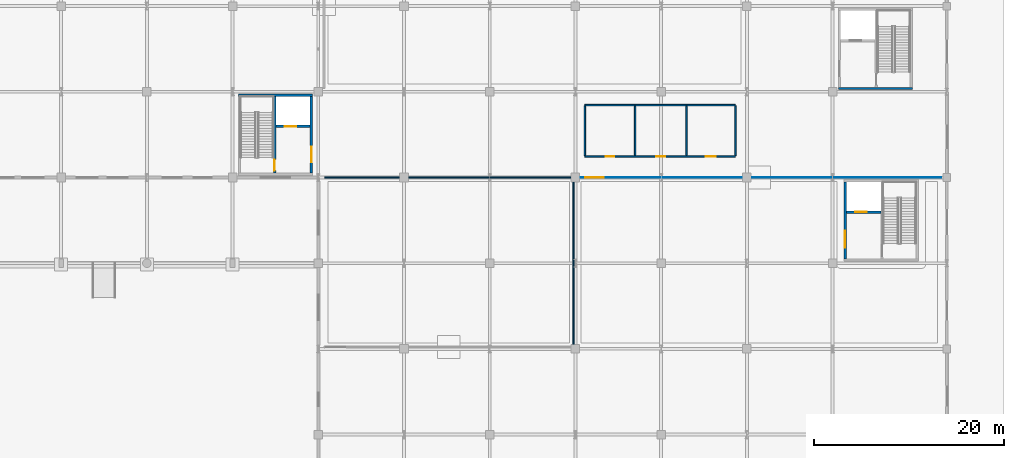
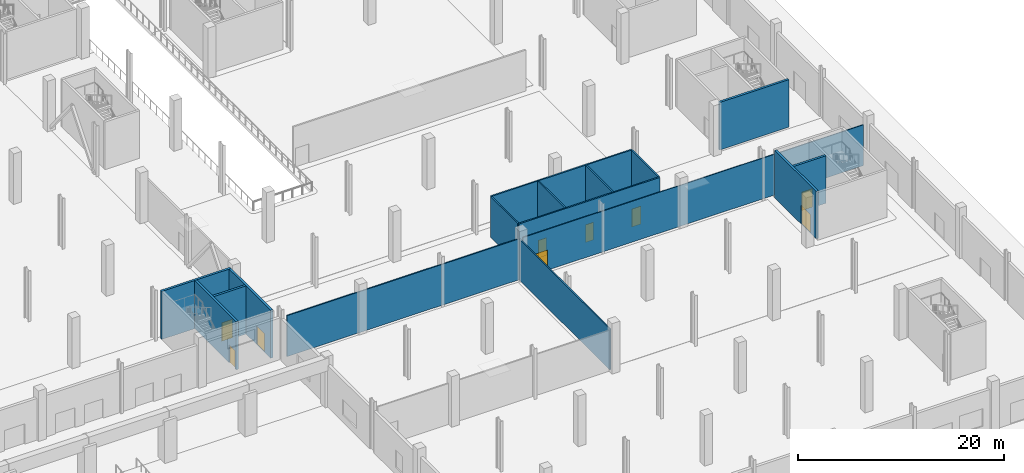
# One storey, part 34 of 58: 16 walls, 9 doors, 9 openings.
"""IFC4 building model written with IfcOpenShell, lengths in metres."""

import ifcopenshell
import ifcopenshell.guid

model = None  # the IFC model being written
_history = None  # IfcOwnerHistory: only IFC2X3 demands one
_inside = {}  # id of a spatial element -> (the spatial element, [elements in it])
_under = {}  # id of a project, library or spatial element -> (it, [spatial elements below it])
_declared = {}  # id of a project -> (the project, [libraries it declares])
_typed = {}  # id of a type object -> (the type object, [elements of that type])
_made_of = {}  # id of a material, layer set ... -> (it, [elements and type objects made of it])


def new_model(schema):
    """Start an empty IFC model of exactly this schema.

    Asked for "IFC4X3", IfcOpenShell would pick the latest addendum, in which some entities
    have other attributes; the version numbers below select the first issue.
    IFC2X3 requires an IfcOwnerHistory on every rooted entity: one is made here for all.
    """
    global model, _history
    if schema == "IFC4X3":
        model = ifcopenshell.file(schema_version=(4, 3, 0, 0))
    else:
        model = ifcopenshell.file(schema=schema)
    _inside.clear()
    _under.clear()
    _declared.clear()
    _typed.clear()
    _made_of.clear()
    _history = None
    if model.schema == "IFC2X3":
        org = make("IfcOrganization", Name="unknown")
        user = make(
            "IfcPersonAndOrganization",
            ThePerson=make("IfcPerson", FamilyName="unknown"),
            TheOrganization=org,
        )
        app = make(
            "IfcApplication",
            ApplicationDeveloper=org,
            Version="unknown",
            ApplicationFullName="unknown",
            ApplicationIdentifier="unknown",
        )
        _history = make(
            "IfcOwnerHistory",
            OwningUser=user,
            OwningApplication=app,
            ChangeAction="ADDED",
            CreationDate=0,
        )
    return model


def make(cls, **values):
    """One entity of the class cls with the attributes given. An attribute that is None is left unset."""
    return model.create_entity(
        cls, **{name: value for name, value in values.items() if value is not None}
    )


def rooted(cls, **values):
    """An entity with a GlobalId (a new one), such as an element, a storey or a relation."""
    return make(cls, GlobalId=ifcopenshell.guid.new(), OwnerHistory=_history, **values)


def si_unit(unit_type, name, prefix=None):
    """IfcSIUnit, for example si_unit("LENGTHUNIT", "METRE", prefix="MILLI")."""
    return make("IfcSIUnit", UnitType=unit_type, Prefix=prefix, Name=name)


def assignment(units):
    """IfcUnitAssignment: the units of a project."""
    return None if units is None else make("IfcUnitAssignment", Units=units)


def point(xyz):
    """IfcCartesianPoint."""
    return None if xyz is None else make("IfcCartesianPoint", Coordinates=xyz)


def direction(xyz):
    """IfcDirection."""
    return None if xyz is None else make("IfcDirection", DirectionRatios=xyz)


def frame(location, z_axis=None, x_axis=None):
    """IfcAxis2Placement3D, a coordinate frame: its origin and axes. An axis left out is left unset."""
    return make(
        "IfcAxis2Placement3D",
        Location=point(location),
        Axis=direction(z_axis),
        RefDirection=direction(x_axis),
    )


def frame_2d(location, x_axis=None):
    """IfcAxis2Placement2D, a coordinate frame in the plane: its origin and x axis."""
    return make(
        "IfcAxis2Placement2D", Location=point(location), RefDirection=direction(x_axis)
    )


def origin():
    """The frame at (0, 0, 0) with its axes left unset."""
    return frame((0.0, 0.0, 0.0))


def place(relative_to, where):
    """IfcLocalPlacement: puts the frame where relative to a parent placement (None: the world)."""
    return make(
        "IfcLocalPlacement", PlacementRelTo=relative_to, RelativePlacement=where
    )


def context(
    kind, dimensions, precision=None, world=None, true_north=None, identifier=None
):
    """IfcGeometricRepresentationContext, for example the 3D "Model" context."""
    return make(
        "IfcGeometricRepresentationContext",
        ContextIdentifier=identifier,
        ContextType=kind,
        CoordinateSpaceDimension=dimensions,
        Precision=precision,
        WorldCoordinateSystem=world,
        TrueNorth=true_north,
    )


def subcontext(parent, identifier, kind, view, scale=None):
    """IfcGeometricRepresentationSubContext, for example "Body" below "Model"."""
    return make(
        "IfcGeometricRepresentationSubContext",
        ContextIdentifier=identifier,
        ContextType=kind,
        ParentContext=parent,
        TargetScale=scale,
        TargetView=view,
    )


def project(units=None, contexts=None):
    """IfcProject with its units and contexts."""
    return rooted(
        "IfcProject",
        Name="project",
        RepresentationContexts=contexts,
        UnitsInContext=assignment(units),
    )


def spatial(cls, under=None, at=None, **own):
    """A site, building, storey or space (cls), placed at a placement, below another one or the project."""
    s = rooted(cls, ObjectPlacement=at, **own)
    if under is not None:
        _under.setdefault(under.id(), (under, []))[1].append(s)
    return s


def profile(cls, at=None, kind="AREA", **sizes):
    """A parametric profile (cls). Its sizes go by their IFC names, for example OverallWidth=200.0."""
    return make(cls, ProfileType=kind, Position=at, **sizes)


def rectangle(**sizes):
    """IfcRectangleProfileDef."""
    return profile("IfcRectangleProfileDef", **sizes)


def extrude(swept, where, along, depth):
    """IfcExtrudedAreaSolid: the profile swept, set in the frame where, extruded along a direction by depth."""
    return make(
        "IfcExtrudedAreaSolid",
        SweptArea=swept,
        Position=where,
        ExtrudedDirection=direction(along),
        Depth=depth,
    )


def shape(context_of_items, identifier, shape_type, items):
    """IfcShapeRepresentation: the items that make up one representation, for example the "Body"."""
    return make(
        "IfcShapeRepresentation",
        ContextOfItems=context_of_items,
        RepresentationIdentifier=identifier,
        RepresentationType=shape_type,
        Items=items,
    )


def material(Name=None, Category=None):
    """IfcMaterial."""
    return make("IfcMaterial", Name=Name, Category=Category)


def layer(
    of_material, thickness, ventilated=None, Name=None, Category=None, Priority=None
):
    """IfcMaterialLayer: one layer of a wall or slab, of a material (None: an air gap)."""
    return make(
        "IfcMaterialLayer",
        Material=of_material,
        LayerThickness=thickness,
        IsVentilated=ventilated,
        Name=Name,
        Category=Category,
        Priority=Priority,
    )


def layer_set(layers, Name=None):
    """IfcMaterialLayerSet."""
    return make("IfcMaterialLayerSet", MaterialLayers=layers, LayerSetName=Name)


def made_of(thing, what):
    """Note that an element or type object is made of a material, layer set ...; save() writes the relation."""
    if what is not None:
        _made_of.setdefault(what.id(), (what, []))[1].append(thing)
    return thing


def type_object(cls, material=None, **own):
    """A type object (cls), such as IfcWallType, which elements share."""
    return made_of(rooted(cls, **own), material)


def element(
    cls,
    number,
    at=None,
    inside=None,
    cuts=None,
    type_object=None,
    material=None,
    context=None,
    identifier="Body",
    shape_type=None,
    held_by="IfcProductDefinitionShape",
    body=None,
    shapes=None,
    **own,
):
    """One element of the class cls, such as IfcWall. Its Tag is "e" and its number.

    at: its placement. inside: the storey or other place that contains it. cuts: it is an
    opening in that element (IfcRelVoidsElement). A single representation is given by context,
    identifier, shape_type and body (its items); several are given by shapes. held_by: the class
    of the entity that holds the representations. save() writes the other relations.
    """
    e = rooted(cls, Tag="e%d" % number, ObjectPlacement=at, **own)
    if body is not None:
        shapes = [shape(context, identifier, shape_type, body)]
    if shapes is not None:
        e.Representation = make(held_by, Representations=shapes)
    if inside is not None:
        _inside.setdefault(inside.id(), (inside, []))[1].append(e)
    if cuts is not None:
        rooted(
            "IfcRelVoidsElement", RelatingBuildingElement=cuts, RelatedOpeningElement=e
        )
    if type_object is not None:
        _typed.setdefault(type_object.id(), (type_object, []))[1].append(e)
    return made_of(e, material)


def fill(opening, filler):
    """IfcRelFillsElement: the door or window that sits in an opening."""
    return rooted(
        "IfcRelFillsElement",
        RelatingOpeningElement=opening,
        RelatedBuildingElement=filler,
    )


def aggregate(whole, parts):
    """IfcRelAggregates: a whole, such as a stair, and the parts it consists of."""
    return rooted("IfcRelAggregates", RelatingObject=whole, RelatedObjects=parts)


def save(model, path):
    """Write the relations noted so far, then the file.

    IfcRelAggregates (storeys below a building ...), IfcRelContainedInSpatialStructure (elements
    in a storey), IfcRelDefinesByType, IfcRelAssociatesMaterial and IfcRelDeclares: one each for
    every whole, place, type object, material and project.
    """
    for whole, parts in _under.values():
        aggregate(whole, parts)
    for where, things in _inside.values():
        rooted(
            "IfcRelContainedInSpatialStructure",
            RelatedElements=things,
            RelatingStructure=where,
        )
    for kind, things in _typed.values():
        rooted("IfcRelDefinesByType", RelatedObjects=things, RelatingType=kind)
    for what, things in _made_of.values():
        rooted("IfcRelAssociatesMaterial", RelatedObjects=things, RelatingMaterial=what)
    for by, libraries in _declared.values():
        rooted("IfcRelDeclares", RelatingContext=by, RelatedDefinitions=libraries)
    model.write(path)


model = new_model("IFC4")

# Units and contexts
model_context = context("Model", 3, precision=1e-05, world=origin(), true_north=direction((0.0, 1.0)))
body_context = subcontext(model_context, "Body", "Model", "MODEL_VIEW")
ifc_project = project(units=[si_unit("LENGTHUNIT", "METRE"), si_unit("AREAUNIT", "SQUARE_METRE"), si_unit("VOLUMEUNIT", "CUBIC_METRE"), si_unit("PLANEANGLEUNIT", "RADIAN"), si_unit("MASSUNIT", "GRAM", prefix="KILO")], contexts=[model_context])

# Site, building, storey
site_placement = place(None, origin())
site = spatial("IfcSite", under=ifc_project, at=site_placement, CompositionType="ELEMENT")
building_placement = place(site_placement, origin())
building = spatial("IfcBuilding", under=site, at=building_placement, Name="Barlavento Convention Centre", CompositionType="ELEMENT")
storey_placement = place(building_placement, origin())
storey = spatial("IfcBuildingStorey", under=building, at=storey_placement, Name="L00", CompositionType="ELEMENT", Elevation=0.0)

# Wall, opening, door
ifc_material_1 = material(Name="Glazed office partition", Category="glass")
ifc_layer_1 = layer(ifc_material_1, 0.094970703125)
ifc_layer_set_1 = layer_set([ifc_layer_1], Name="ARC-WL-PART-095")
wall_type_1 = type_object("IfcWallType", Name="ARC-WL-PART-095", PredefinedType="PARTITIONING", material=ifc_layer_set_1)
wall_1_placement = place(storey_placement, frame((153.199951171875, 45.0, 0.0), z_axis=(0.0, 0.0, 1.0), x_axis=(1.0, 0.0, 0.0)))
wall_1 = element("IfcWall", 1, at=wall_1_placement, inside=storey, type_object=wall_type_1, Name="L00 interior wall PT-07", PredefinedType="PARTITIONING", context=body_context, shape_type="SweptSolid", body=[
    extrude(rectangle(XDim=38.199951171875, YDim=0.094970703125, at=frame_2d((19.10009765625, 0.0))), origin(), (0.0, 0.0, 1.0), 4.85009765625),
])
opening_1_placement = place(wall_1_placement, frame((0.85009765625, 0.0, 0.0)))
opening_1 = element("IfcOpeningElement", 2, at=opening_1_placement, cuts=wall_1, Name="Opening ID-02", PredefinedType="OPENING", context=body_context, shape_type="SweptSolid", body=[
    extrude(rectangle(XDim=1.89990234375, YDim=2.39990234375, at=frame_2d((0.949951171875, 1.199951171875))), frame((0.0, 0.057373046875, 0.0), z_axis=(0.0, -1.0, 0.0), x_axis=(1.0, 0.0, 0.0)), (0.0, 0.0, 1.0), 0.114990234375),
])
ifc_material_2 = material(Name="Timber veneer acoustic core", Category="wood")
door_type_1 = type_object("IfcDoorType", Name="ARC-DR-HALL-1900X2400", OperationType="DOUBLE_DOOR_SINGLE_SWING", PredefinedType="DOOR", material=ifc_material_2)
door_1_placement = place(opening_1_placement, origin())
door_1 = element("IfcDoor", 3, at=door_1_placement, inside=storey, type_object=door_type_1, Name="DR-INT-L00-0217 L00 interior door ID-02", OperationType="DOUBLE_DOOR_SINGLE_SWING", OverallHeight=2.39990234375, OverallWidth=1.89990234375, PredefinedType="DOOR", context=body_context, shape_type="SweptSolid", body=[
    extrude(rectangle(XDim=1.89990234375, YDim=2.39990234375, at=frame_2d((0.949951171875, 1.199951171875))), frame((0.0, 0.02490234375, 0.0), z_axis=(0.0, -1.0, 0.0), x_axis=(1.0, 0.0, 0.0)), (0.0, 0.0, 1.0), 0.050048828125),
])
fill(opening_1, door_1)

# Walls
ifc_material_3 = material(Name="Insulated gypsum partition")
ifc_layer_2 = layer(ifc_material_3, 0.139892578125)
ifc_layer_set_2 = layer_set([ifc_layer_2], Name="ARC-WL-PART-140")
wall_type_2 = type_object("IfcWallType", Name="ARC-WL-PART-140", PredefinedType="PARTITIONING", material=ifc_layer_set_2)
wall_2_placement = place(storey_placement, frame((126.68408203125, 45.0, 0.0), z_axis=(0.0, 0.0, 1.0), x_axis=(1.0, 0.0, 0.0)))
element("IfcWall", 4, at=wall_2_placement, inside=storey, type_object=wall_type_2, Name="L00 interior wall PT-04", PredefinedType="PARTITIONING", context=body_context, shape_type="SweptSolid", body=[
    extrude(rectangle(XDim=26.031982421875, YDim=0.139892578125, at=frame_2d((13.01611328125, 0.0))), origin(), (0.0, 0.0, 1.0), 4.85009765625),
])
wall_3_placement = place(storey_placement, frame((152.800048828125, 27.283935546875, 0.0), z_axis=(0.0, 0.0, 1.0), x_axis=(0.0, 1.0, 0.0)))
element("IfcWall", 5, at=wall_3_placement, inside=storey, type_object=wall_type_2, Name="L00 interior wall PT-04", PredefinedType="PARTITIONING", context=body_context, shape_type="SweptSolid", body=[
    extrude(rectangle(XDim=17.632080078125, YDim=0.139892578125, at=frame_2d((8.81591796875, 0.0))), origin(), (0.0, 0.0, 1.0), 4.85009765625),
])

# Wall, openings, doors
ifc_material_4 = material(Name="Sanitary service chase plumbing wall")
ifc_layer_3 = layer(ifc_material_4, 0.159912109375)
ifc_layer_set_3 = layer_set([ifc_layer_3], Name="ARC-WL-PLMB-160")
wall_type_3 = type_object("IfcWallType", Name="ARC-WL-PLMB-160", PredefinedType="PLUMBINGWALL", material=ifc_layer_set_3)
wall_4_placement = place(storey_placement, frame((154.0, 47.199951171875, 0.0), z_axis=(0.0, 0.0, 1.0), x_axis=(1.0, 0.0, 0.0)))
wall_4 = element("IfcWall", 6, at=wall_4_placement, inside=storey, type_object=wall_type_3, Name="L00 interior wall PW-03", PredefinedType="PLUMBINGWALL", context=body_context, shape_type="SweptSolid", body=[
    extrude(rectangle(XDim=15.800048828125, YDim=0.159912109375, at=frame_2d((7.89990234375, 0.0))), origin(), (0.0, 0.0, 1.0), 4.85009765625),
])
opening_2_placement = place(wall_4_placement, frame((2.18994140625, 0.0, 0.0)))
opening_2 = element("IfcOpeningElement", 7, at=opening_2_placement, cuts=wall_4, Name="Opening ID-10", PredefinedType="OPENING", context=body_context, shape_type="SweptSolid", body=[
    extrude(rectangle(XDim=0.89990234375, YDim=2.10009765625, at=frame_2d((0.449951171875, 1.050048828125))), frame((0.0, 0.08984375, 0.0), z_axis=(0.0, -1.0, 0.0), x_axis=(1.0, 0.0, 0.0)), (0.0, 0.0, 1.0), 0.179931640625),
])
opening_3_placement = place(wall_4_placement, frame((7.510009765625, 0.0, 0.0)))
opening_3 = element("IfcOpeningElement", 8, at=opening_3_placement, cuts=wall_4, Name="Opening ID-10", PredefinedType="OPENING", context=body_context, shape_type="SweptSolid", body=[
    extrude(rectangle(XDim=0.89990234375, YDim=2.10009765625, at=frame_2d((0.449951171875, 1.050048828125))), frame((0.0, 0.08984375, 0.0), z_axis=(0.0, -1.0, 0.0), x_axis=(1.0, 0.0, 0.0)), (0.0, 0.0, 1.0), 0.179931640625),
])
opening_4_placement = place(wall_4_placement, frame((12.699951171875, 0.0, 0.0)))
opening_4 = element("IfcOpeningElement", 9, at=opening_4_placement, cuts=wall_4, Name="Opening ID-11", PredefinedType="OPENING", context=body_context, shape_type="SweptSolid", body=[
    extrude(rectangle(XDim=1.0400390625, YDim=2.14990234375, at=frame_2d((0.52001953125, 1.074951171875))), frame((0.0, 0.08984375, 0.0), z_axis=(0.0, -1.0, 0.0), x_axis=(1.0, 0.0, 0.0)), (0.0, 0.0, 1.0), 0.179931640625),
])
door_type_2 = type_object("IfcDoorType", Name="ARC-DR-AWC-1040X2150", OperationType="NOTDEFINED", PredefinedType="DOOR", material=ifc_material_2)
door_2_placement = place(opening_4_placement, origin())
door_2 = element("IfcDoor", 10, at=door_2_placement, inside=storey, type_object=door_type_2, Name="DR-INT-L00-0189 L00 Accessible Public WC entry door", OperationType="SINGLE_SWING_LEFT", OverallHeight=2.14990234375, OverallWidth=1.0400390625, PredefinedType="DOOR", context=body_context, shape_type="SweptSolid", body=[
    extrude(rectangle(XDim=1.0400390625, YDim=2.14990234375, at=frame_2d((0.52001953125, 1.074951171875))), frame((0.0, 0.02490234375, 0.0), z_axis=(0.0, -1.0, 0.0), x_axis=(1.0, 0.0, 0.0)), (0.0, 0.0, 1.0), 0.050048828125),
])
fill(opening_4, door_2)
door_type_3 = type_object("IfcDoorType", Name="ARC-DR-WC-900X2100", OperationType="NOTDEFINED", PredefinedType="DOOR", material=ifc_material_2)
door_3_placement = place(opening_2_placement, origin())
door_3 = element("IfcDoor", 11, at=door_3_placement, inside=storey, type_object=door_type_3, Name="DR-INT-L00-0187 L00 Male Public WC entry door", OperationType="SINGLE_SWING_LEFT", OverallHeight=2.10009765625, OverallWidth=0.89990234375, PredefinedType="DOOR", context=body_context, shape_type="SweptSolid", body=[
    extrude(rectangle(XDim=0.89990234375, YDim=2.10009765625, at=frame_2d((0.449951171875, 1.050048828125))), frame((0.0, 0.02490234375, 0.0), z_axis=(0.0, -1.0, 0.0), x_axis=(1.0, 0.0, 0.0)), (0.0, 0.0, 1.0), 0.050048828125),
])
fill(opening_2, door_3)
door_4_placement = place(opening_3_placement, origin())
door_4 = element("IfcDoor", 12, at=door_4_placement, inside=storey, type_object=door_type_3, Name="DR-INT-L00-0188 L00 Female Public WC entry door", OperationType="SINGLE_SWING_RIGHT", OverallHeight=2.10009765625, OverallWidth=0.89990234375, PredefinedType="DOOR", context=body_context, shape_type="SweptSolid", body=[
    extrude(rectangle(XDim=0.89990234375, YDim=2.10009765625, at=frame_2d((0.449951171875, 1.050048828125))), frame((0.0, 0.02490234375, 0.0), z_axis=(0.0, -1.0, 0.0), x_axis=(1.0, 0.0, 0.0)), (0.0, 0.0, 1.0), 0.050048828125),
])
fill(opening_3, door_4)

# Walls
wall_5_placement = place(storey_placement, frame((154.0, 52.60009765625, 0.0), z_axis=(0.0, 0.0, 1.0), x_axis=(1.0, 0.0, 0.0)))
element("IfcWall", 13, at=wall_5_placement, inside=storey, type_object=wall_type_3, Name="L00 interior wall PW-03", PredefinedType="PLUMBINGWALL", context=body_context, shape_type="SweptSolid", body=[
    extrude(rectangle(XDim=15.800048828125, YDim=0.159912109375, at=frame_2d((7.89990234375, 0.0))), origin(), (0.0, 0.0, 1.0), 4.85009765625),
])
for number, where, z_axis, x_axis, name in (
    (14, (154.0, 47.2880859375, 0.0), (0.0, 0.0, 1.0), (0.0, 1.0, 0.0), "L00 interior wall PW-03"),
    (15, (159.280029296875, 47.2880859375, 0.0), (0.0, 0.0, 1.0), (0.0, 1.0, 0.0), "L00 interior wall PW-03"),
    (16, (164.639892578125, 47.2880859375, 0.0), (0.0, 0.0, 1.0), (0.0, 1.0, 0.0), "L00 interior wall PW-03"),
    (17, (169.800048828125, 47.2880859375, 0.0), (0.0, 0.0, 1.0), (0.0, 1.0, 0.0), "L00 interior wall PW-03"),
):
    element("IfcWall", number, at=place(storey_placement, frame(where, z_axis=z_axis, x_axis=x_axis)), inside=storey, type_object=wall_type_3, Name=name, PredefinedType="PLUMBINGWALL", context=body_context, shape_type="SweptSolid", body=[
        extrude(rectangle(XDim=5.223876953125, YDim=0.159912109375, at=frame_2d((2.61181640625, 0.0))), origin(), (0.0, 0.0, 1.0), 4.85009765625),
    ])

# Wall, opening, door
ifc_material_5 = material(Name="Concrete C50/60", Category="concrete")
ifc_layer_4 = layer(ifc_material_5, 0.25)
ifc_layer_set_4 = layer_set([ifc_layer_4], Name="STR-WL-CORE-250")
wall_type_4 = type_object("IfcWallType", Name="STR-WL-CORE-250", PredefinedType="SHEAR", material=ifc_layer_set_4)
wall_6_placement = place(storey_placement, frame((125.27490234375, 45.469970703125, 0.0), z_axis=(0.0, 0.0, 1.0), x_axis=(0.0, 1.0, 0.0)))
wall_6 = element("IfcWall", 18, at=wall_6_placement, inside=storey, type_object=wall_type_4, Name="L00 interior wall CW-02", PredefinedType="SHEAR", context=body_context, shape_type="SweptSolid", body=[
    extrude(rectangle(XDim=8.06005859375, YDim=0.25, at=frame_2d((4.030029296875, 0.0))), origin(), (0.0, 0.0, 1.0), 5.7099609375),
])
opening_5_placement = place(wall_6_placement, frame((1.14990234375, 0.0, 0.0)))
opening_5 = element("IfcOpeningElement", 19, at=opening_5_placement, cuts=wall_6, Name="Opening FD-02", PredefinedType="OPENING", context=body_context, shape_type="SweptSolid", body=[
    extrude(rectangle(XDim=1.60009765625, YDim=2.199951171875, at=frame_2d((0.800048828125, 1.10009765625))), frame((0.0, 0.135009765625, 0.0), z_axis=(0.0, -1.0, 0.0), x_axis=(1.0, 0.0, 0.0)), (0.0, 0.0, 1.0), 0.27001953125),
])
ifc_material_6 = material(Name="Painted galvanized steel", Category="steel")
door_type_4 = type_object("IfcDoorType", Name="ARC-DR-FIRE-1600X2200", OperationType="DOUBLE_DOOR_SINGLE_SWING", PredefinedType="DOOR", material=ifc_material_6)
door_5_placement = place(opening_5_placement, origin())
door_5 = element("IfcDoor", 20, at=door_5_placement, inside=storey, type_object=door_type_4, Name="DR-INT-L00-0045 L00 LP3 lobby fire door", OperationType="DOUBLE_DOOR_SINGLE_SWING", OverallHeight=2.199951171875, OverallWidth=1.60009765625, PredefinedType="DOOR", context=body_context, shape_type="SweptSolid", body=[
    extrude(rectangle(XDim=1.60009765625, YDim=2.199951171875, at=frame_2d((0.800048828125, 1.10009765625))), frame((0.0, 0.02490234375, 0.0), z_axis=(0.0, -1.0, 0.0), x_axis=(1.0, 0.0, 0.0)), (0.0, 0.0, 1.0), 0.050048828125),
])
fill(opening_5, door_5)

# Wall
wall_7_placement = place(storey_placement, frame((117.60009765625, 53.655029296875, 0.0), z_axis=(0.0, 0.0, 1.0), x_axis=(1.0, 0.0, 0.0)))
element("IfcWall", 21, at=wall_7_placement, inside=storey, type_object=wall_type_4, Name="L00 interior wall CW-02", PredefinedType="SHEAR", context=body_context, shape_type="SweptSolid", body=[
    extrude(rectangle(XDim=7.7998046875, YDim=0.25, at=frame_2d((3.89990234375, 0.0))), origin(), (0.0, 0.0, 1.0), 5.7099609375),
])

# Wall, opening, door
wall_8_placement = place(storey_placement, frame((121.4150390625, 45.469970703125, 0.0), z_axis=(0.0, 0.0, 1.0), x_axis=(0.0, 1.0, 0.0)))
wall_8 = element("IfcWall", 22, at=wall_8_placement, inside=storey, type_object=wall_type_4, Name="L00 interior wall CW-02", PredefinedType="SHEAR", context=body_context, shape_type="SweptSolid", body=[
    extrude(rectangle(XDim=8.06005859375, YDim=0.25, at=frame_2d((4.030029296875, 0.0))), origin(), (0.0, 0.0, 1.0), 5.7099609375),
])
opening_6_placement = place(wall_8_placement, frame((0.25, 0.0, 0.0)))
opening_6 = element("IfcOpeningElement", 23, at=opening_6_placement, cuts=wall_8, Name="Opening FD-03", PredefinedType="OPENING", context=body_context, shape_type="SweptSolid", body=[
    extrude(rectangle(XDim=1.14990234375, YDim=2.14990234375, at=frame_2d((0.574951171875, 1.074951171875))), frame((0.0, 0.135009765625, 0.0), z_axis=(0.0, -1.0, 0.0), x_axis=(1.0, 0.0, 0.0)), (0.0, 0.0, 1.0), 0.27001953125),
])
door_type_5 = type_object("IfcDoorType", Name="ARC-DR-FIRE-1150X2150", OperationType="NOTDEFINED", PredefinedType="DOOR", material=ifc_material_6)
door_6_placement = place(opening_6_placement, origin())
door_6 = element("IfcDoor", 24, at=door_6_placement, inside=storey, type_object=door_type_5, Name="DR-INT-L00-0043 L00 ST04 stair fire door FD-03", OperationType="SINGLE_SWING_LEFT", OverallHeight=2.14990234375, OverallWidth=1.14990234375, PredefinedType="DOOR", context=body_context, shape_type="SweptSolid", body=[
    extrude(rectangle(XDim=1.14990234375, YDim=2.14990234375, at=frame_2d((0.574951171875, 1.074951171875))), frame((0.0, 0.02490234375, 0.0), z_axis=(0.0, -1.0, 0.0), x_axis=(1.0, 0.0, 0.0)), (0.0, 0.0, 1.0), 0.050048828125),
])
fill(opening_6, door_6)

wall_9_placement = place(storey_placement, frame((121.5400390625, 50.3701171875, 0.0), z_axis=(0.0, 0.0, 1.0), x_axis=(1.0, 0.0, 0.0)))
wall_9 = element("IfcWall", 25, at=wall_9_placement, inside=storey, type_object=wall_type_4, Name="L00 interior wall CW-02", PredefinedType="SHEAR", context=body_context, shape_type="SweptSolid", body=[
    extrude(rectangle(XDim=3.60986328125, YDim=0.25, at=frame_2d((1.804931640625, 0.0))), origin(), (0.0, 0.0, 1.0), 5.7099609375),
])
opening_7_placement = place(wall_9_placement, frame((0.949951171875, 0.0, 0.0)))
opening_7 = element("IfcOpeningElement", 26, at=opening_7_placement, cuts=wall_9, Name="Opening LD-01", PredefinedType="OPENING", context=body_context, shape_type="SweptSolid", body=[
    extrude(rectangle(XDim=1.199951171875, YDim=2.199951171875, at=frame_2d((0.60009765625, 1.10009765625))), frame((0.0, 0.135009765625, 0.0), z_axis=(0.0, -1.0, 0.0), x_axis=(1.0, 0.0, 0.0)), (0.0, 0.0, 1.0), 0.27001953125),
])
ifc_material_7 = material(Name="Brushed stainless steel", Category="steel")
door_type_6 = type_object("IfcDoorType", Name="ARC-DR-LIFT-1200X2200", OperationType="DOUBLE_DOOR_SLIDING", PredefinedType="DOOR", material=ifc_material_7)
door_7_placement = place(opening_7_placement, origin())
door_7 = element("IfcDoor", 27, at=door_7_placement, inside=storey, type_object=door_type_6, Name="DR-INT-L00-0044 LP3 lift sliding landing door", OperationType="DOUBLE_DOOR_SLIDING", OverallHeight=2.199951171875, OverallWidth=1.199951171875, PredefinedType="DOOR", context=body_context, shape_type="SweptSolid", body=[
    extrude(rectangle(XDim=1.199951171875, YDim=2.199951171875, at=frame_2d((0.60009765625, 1.10009765625))), frame((0.0, 0.02490234375, 0.0), z_axis=(0.0, -1.0, 0.0), x_axis=(1.0, 0.0, 0.0)), (0.0, 0.0, 1.0), 0.050048828125),
])
fill(opening_7, door_7)

# Wall
wall_10_placement = place(storey_placement, frame((180.60009765625, 54.344970703125, 0.0), z_axis=(0.0, 0.0, 1.0), x_axis=(1.0, 0.0, 0.0)))
element("IfcWall", 28, at=wall_10_placement, inside=storey, type_object=wall_type_4, Name="L00 interior wall CW-02", PredefinedType="SHEAR", context=body_context, shape_type="SweptSolid", body=[
    extrude(rectangle(XDim=7.7998046875, YDim=0.25, at=frame_2d((3.89990234375, 0.0))), origin(), (0.0, 0.0, 1.0), 5.639892578125),
])

# Wall, opening, door
wall_11_placement = place(storey_placement, frame((181.324951171875, 36.469970703125, 0.0), z_axis=(0.0, 0.0, 1.0), x_axis=(0.0, 1.0, 0.0)))
wall_11 = element("IfcWall", 29, at=wall_11_placement, inside=storey, type_object=wall_type_4, Name="L00 interior wall CW-02", PredefinedType="SHEAR", context=body_context, shape_type="SweptSolid", body=[
    extrude(rectangle(XDim=8.06005859375, YDim=0.25, at=frame_2d((4.030029296875, 0.0))), origin(), (0.0, 0.0, 1.0), 5.639892578125),
])
opening_8_placement = place(wall_11_placement, frame((1.14990234375, 0.0, 0.0)))
opening_8 = element("IfcOpeningElement", 30, at=opening_8_placement, cuts=wall_11, Name="Opening FD-01", PredefinedType="OPENING", context=body_context, shape_type="SweptSolid", body=[
    extrude(rectangle(XDim=1.800048828125, YDim=2.199951171875, at=frame_2d((0.89990234375, 1.10009765625))), frame((0.0, 0.135009765625, 0.0), z_axis=(0.0, -1.0, 0.0), x_axis=(1.0, 0.0, 0.0)), (0.0, 0.0, 1.0), 0.27001953125),
])
door_type_7 = type_object("IfcDoorType", Name="ARC-DR-FIRE-1800X2200", OperationType="DOUBLE_DOOR_SINGLE_SWING", PredefinedType="DOOR", material=ifc_material_6)
door_8_placement = place(opening_8_placement, origin())
door_8 = element("IfcDoor", 31, at=door_8_placement, inside=storey, type_object=door_type_7, Name="DR-INT-L00-0081 L00 FL2 lobby fire door", OperationType="DOUBLE_DOOR_SINGLE_SWING", OverallHeight=2.199951171875, OverallWidth=1.800048828125, PredefinedType="DOOR", context=body_context, shape_type="SweptSolid", body=[
    extrude(rectangle(XDim=1.800048828125, YDim=2.199951171875, at=frame_2d((0.89990234375, 1.10009765625))), frame((0.0, 0.02490234375, 0.0), z_axis=(0.0, -1.0, 0.0), x_axis=(1.0, 0.0, 0.0)), (0.0, 0.0, 1.0), 0.050048828125),
])
fill(opening_8, door_8)

wall_12_placement = place(storey_placement, frame((181.449951171875, 41.3701171875, 0.0), z_axis=(0.0, 0.0, 1.0), x_axis=(1.0, 0.0, 0.0)))
wall_12 = element("IfcWall", 32, at=wall_12_placement, inside=storey, type_object=wall_type_4, Name="L00 interior wall CW-02", PredefinedType="SHEAR", context=body_context, shape_type="SweptSolid", body=[
    extrude(rectangle(XDim=3.610107421875, YDim=0.25, at=frame_2d((1.80517578125, 0.0))), origin(), (0.0, 0.0, 1.0), 5.639892578125),
])
opening_9_placement = place(wall_12_placement, frame((0.949951171875, 0.0, 0.0)))
opening_9 = element("IfcOpeningElement", 33, at=opening_9_placement, cuts=wall_12, Name="Opening LD-01", PredefinedType="OPENING", context=body_context, shape_type="SweptSolid", body=[
    extrude(rectangle(XDim=1.199951171875, YDim=2.199951171875, at=frame_2d((0.60009765625, 1.10009765625))), frame((0.0, 0.135009765625, 0.0), z_axis=(0.0, -1.0, 0.0), x_axis=(1.0, 0.0, 0.0)), (0.0, 0.0, 1.0), 0.27001953125),
])
door_9_placement = place(opening_9_placement, origin())
door_9 = element("IfcDoor", 34, at=door_9_placement, inside=storey, type_object=door_type_6, Name="DR-INT-L00-0080 FL2 lift sliding landing door", OperationType="DOUBLE_DOOR_SLIDING", OverallHeight=2.199951171875, OverallWidth=1.199951171875, PredefinedType="DOOR", context=body_context, shape_type="SweptSolid", body=[
    extrude(rectangle(XDim=1.199951171875, YDim=2.199951171875, at=frame_2d((0.60009765625, 1.10009765625))), frame((0.0, 0.02490234375, 0.0), z_axis=(0.0, -1.0, 0.0), x_axis=(1.0, 0.0, 0.0)), (0.0, 0.0, 1.0), 0.050048828125),
])
fill(opening_9, door_9)

save(model, "model.ifc")
